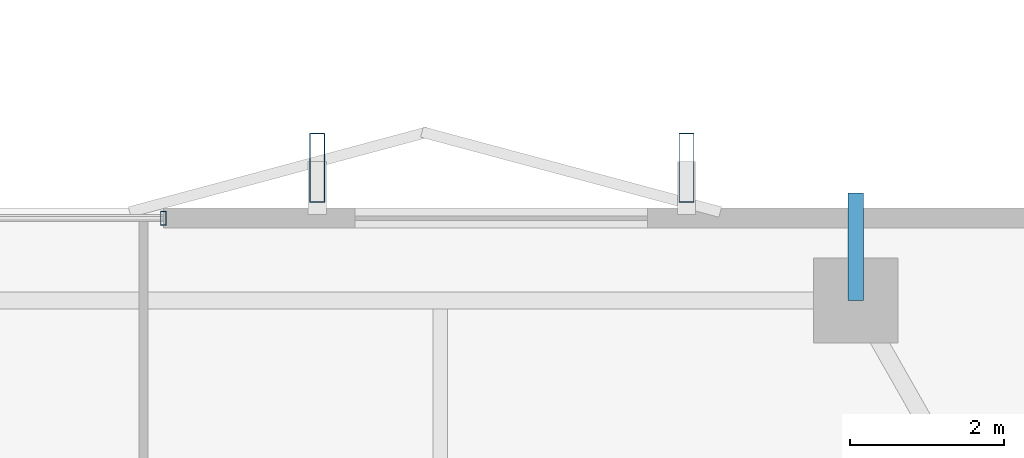
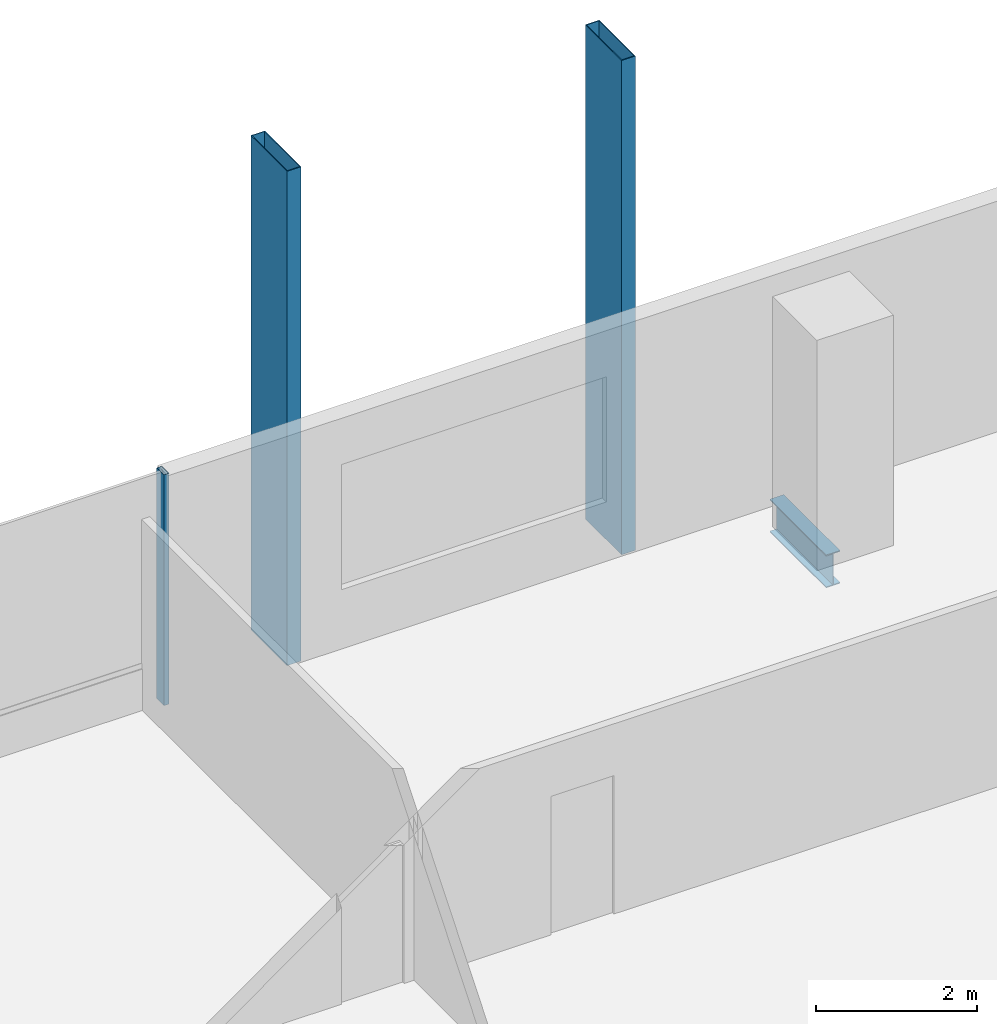
# One storey, part 15 of 24: 3 members, 1 beam, 1 element without a shape of its own.
"""IFC4 building model written with IfcOpenShell, lengths in metres."""

from ifc_helpers import new_model, si_unit, direction, frame, origin, origin_2d, place, context, subcontext, project, spatial, hollow_rectangle, i_section, extrude, material, layer, layer_set, material_profile, profile_set, type_object, element, aggregate, save


model = new_model("IFC4")

# Units and contexts
model_context = context("Model", 3, precision=1e-05, world=origin(), true_north=direction((0.0, 1.0)))
body_context = subcontext(model_context, "Body", "Model", "MODEL_VIEW")
ifc_project = project(units=[si_unit("LENGTHUNIT", "METRE"), si_unit("AREAUNIT", "SQUARE_METRE"), si_unit("VOLUMEUNIT", "CUBIC_METRE"), si_unit("PLANEANGLEUNIT", "RADIAN"), si_unit("MASSUNIT", "GRAM", prefix="KILO")], contexts=[model_context])

# Site, building, storey
site_placement = place(None, origin())
site = spatial("IfcSite", under=ifc_project, at=site_placement, CompositionType="ELEMENT")
building_placement = place(site_placement, origin())
building = spatial("IfcBuilding", under=site, at=building_placement, Name="Belovzor Exchange Tower", CompositionType="ELEMENT")
storey_placement = place(building_placement, frame((0.0, 0.0, 233.699951171875)))
storey = spatial("IfcBuildingStorey", under=building, at=storey_placement, Name="L58", CompositionType="ELEMENT", Elevation=233.699951171875)

# Beam
ifc_material_1 = material(Name="Steel S355", Category="steel")
ifc_material_profile_1 = material_profile(ifc_material_1, i_section(OverallWidth=0.199951171875, OverallDepth=0.5, WebThickness=0.01025390625, FlangeThickness=0.01611328125, at=origin_2d()))
ifc_profile_set_1 = profile_set([ifc_material_profile_1], Name="Steel S355")
beam_type = type_object("IfcBeamType", Name="Planted Balcony Cantilever Beam IPE 500", PredefinedType="BEAM", material=ifc_profile_set_1)
beam_placement = place(storey_placement, frame((42.60009765625, 54.60009765625, -0.5), z_axis=(0.0, 1.0, 0.0), x_axis=(-1.0, 0.0, 0.0)))
element("IfcBeam", 1, at=beam_placement, inside=storey, type_object=beam_type, Name="BC-500 Planted Balcony Cantilever Beam IPE 500", PredefinedType="BEAM", context=body_context, shape_type="SweptSolid", body=[
    extrude(i_section(OverallWidth=0.199951171875, OverallDepth=0.5, WebThickness=0.01025390625, FlangeThickness=0.01611328125, at=origin_2d()), origin(), (0.0, 0.0, 1.0), 1.39990234375),
])

# Members
ifc_material_2 = material(Name="Extruded Architectural Terracotta on Steel S355 Carrier", Category="masonry")
ifc_material_profile_2 = material_profile(ifc_material_2, hollow_rectangle(XDim=0.199951171875, YDim=0.89990234375, WallThickness=0.011962890625, at=origin_2d()))
ifc_profile_set_2 = profile_set([ifc_material_profile_2], Name="Extruded Architectural Terracotta on Steel S355 Carrier")
member_type_1 = type_object("IfcMemberType", Name="Sweeping Terracotta Baguette Fin Assembly 950", PredefinedType="USERDEFINED", material=ifc_profile_set_2)
for number, where, z_axis, x_axis, name in (
    (2, (35.60009765625, 56.324951171875, -0.25), (0.0, 0.0, 1.0), (1.0, 0.0, 0.0), "FIN-TC095 Terracotta Facade Fin L58 N3"),
    (3, (40.39990234375, 56.324951171875, -0.25), (0.0, 0.0, 1.0), (1.0, 0.0, 0.0), "FIN-TC095 Terracotta Facade Fin L58 N4"),
):
    element("IfcMember", number, at=place(storey_placement, frame(where, z_axis=z_axis, x_axis=x_axis)), inside=storey, type_object=member_type_1, Name=name, ObjectType="FIN", PredefinedType="USERDEFINED", context=body_context, shape_type="SweptSolid", body=[
        extrude(hollow_rectangle(XDim=0.199951171875, YDim=0.89990234375, WallThickness=0.011962890625, at=origin_2d()), origin(), (0.0, 0.0, 1.0), 7.5),
    ])

# Curtain wall, member
ifc_material_3 = material(Name="Anodised Aluminium Framing", Category="aluminium")
ifc_layer = layer(ifc_material_3, 0.179931640625)
ifc_layer_set = layer_set([ifc_layer], Name="Anodised Aluminium Framing")
curtain_wall_type = type_object("IfcCurtainWallType", Name="Recessed Loggia Low-Iron Triple-Glazed Curtain Wall", PredefinedType="NOTDEFINED", material=ifc_layer_set)
curtain_wall_placement = place(storey_placement, origin())
curtain_wall = element("IfcCurtainWall", 4, at=curtain_wall_placement, inside=storey, type_object=curtain_wall_type, Name="CW3 Recessed Loggia Low-Iron Triple-Glazed Curtain Wall L58", PredefinedType="NOTDEFINED")
ifc_material_4 = material(Name="Steel S355", Category="steel")
ifc_material_profile_3 = material_profile(ifc_material_4, hollow_rectangle(XDim=0.074951171875, YDim=0.179931640625, WallThickness=0.0048828125, at=origin_2d()))
ifc_profile_set_3 = profile_set([ifc_material_profile_3], Name="Steel S355")
member_type_2 = type_object("IfcMemberType", Name="Thermally Broken Curtain Wall Mullion 180x75", PredefinedType="MULLION", material=ifc_profile_set_3)
member_placement = place(storey_placement, frame((33.60009765625, 55.669921875, 0.0), z_axis=(0.0, 0.0, 1.0), x_axis=(1.0, 0.0, 0.0)))
member = element("IfcMember", 5, at=member_placement, type_object=member_type_2, Name="CW-M180 Curtain Wall Mullion 4", PredefinedType="MULLION", context=body_context, shape_type="SweptSolid", body=[
    extrude(hollow_rectangle(XDim=0.074951171875, YDim=0.179931640625, WallThickness=0.0048828125, at=origin_2d()), origin(), (0.0, 0.0, 1.0), 3.5),
])
aggregate(curtain_wall, [member])

save(model, "model.ifc")
